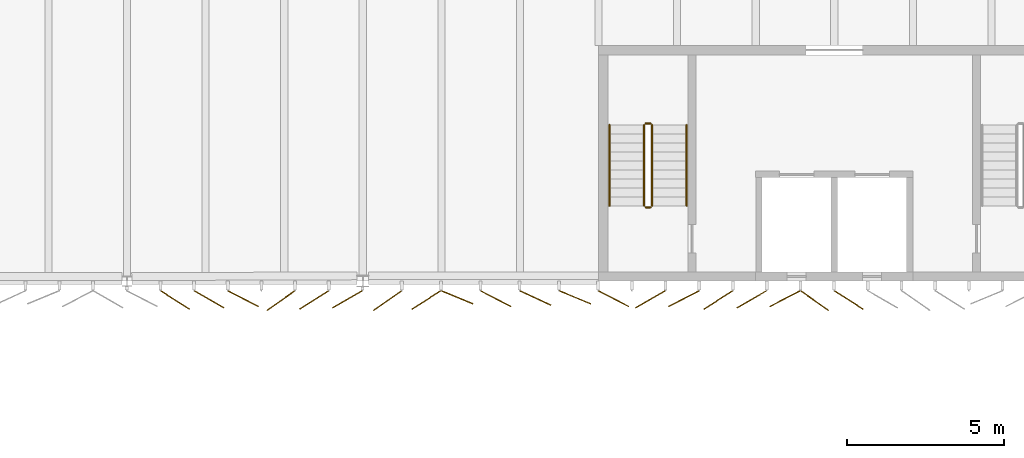
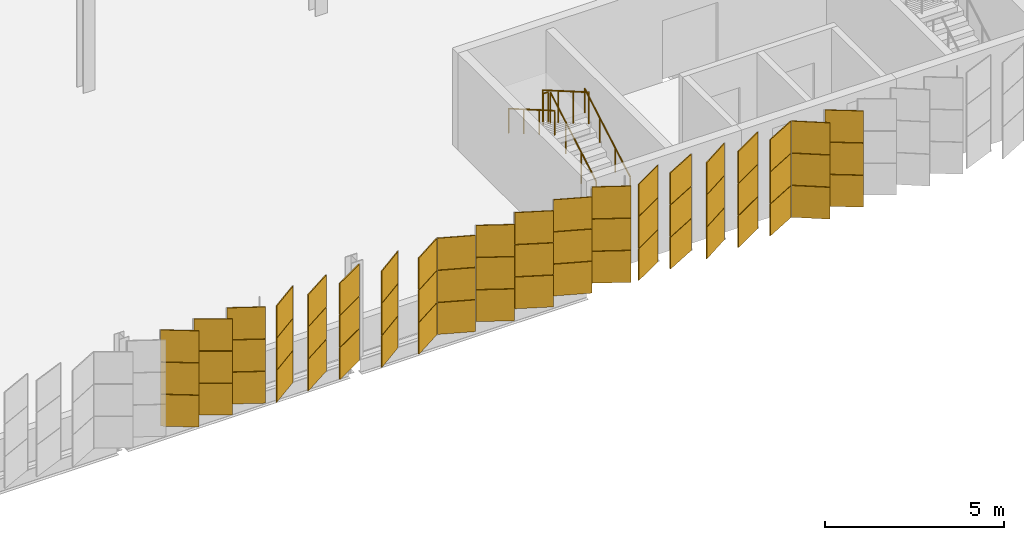
# One storey, part 184 of 199: 60 coverings, 6 railings.
"""IFC4 building model written with IfcOpenShell, lengths in metres."""

from ifc_helpers import new_model, si_unit, direction, frame, origin, origin_2d, place, context, subcontext, project, spatial, rectangle, circle, extrude, material, layer, layer_set, type_object, element, save


model = new_model("IFC4")

# Units and contexts
model_context = context("Model", 3, precision=1e-05, world=origin(), true_north=direction((0.0, 1.0)))
body_context = subcontext(model_context, "Body", "Model", "MODEL_VIEW")
ifc_project = project(units=[si_unit("LENGTHUNIT", "METRE"), si_unit("AREAUNIT", "SQUARE_METRE"), si_unit("VOLUMEUNIT", "CUBIC_METRE"), si_unit("PLANEANGLEUNIT", "RADIAN"), si_unit("MASSUNIT", "GRAM", prefix="KILO")], contexts=[model_context])

# Site, building, storey
site_placement = place(None, origin())
site = spatial("IfcSite", under=ifc_project, at=site_placement, CompositionType="ELEMENT")
building_placement = place(site_placement, origin())
building = spatial("IfcBuilding", under=site, at=building_placement, Name="Parallax Yard Mobility Hub", CompositionType="ELEMENT")
storey_placement = place(building_placement, frame((0.0, 0.0, 9.89990234375)))
storey = spatial("IfcBuildingStorey", under=building, at=storey_placement, Name="L03", CompositionType="ELEMENT", Elevation=9.89990234375)

# Coverings
ifc_material_1 = material(Name="Aluminium panel, champagne finish", Category="aluminium")
ifc_layer_1 = layer(ifc_material_1, 0.030029296875)
ifc_layer_set_1 = layer_set([ifc_layer_1], Name="Skin panel 22.5 degree turn, champagne finish")
covering_type_1 = type_object("IfcCoveringType", Name="Skin panel 22.5 degree turn, champagne finish", PredefinedType="CLADDING", material=ifc_layer_set_1)
for number, where, z_axis, x_axis, name in (
    (1, (123.00390625, 111.987060546875, 0.02001953125), (0.0, 0.0, 1.0), (0.923879532511, -0.382683432365, 0.0), "Skin panel 22.5 bay 12.3 row 1 level L03"),
    (2, (126.751708984375, 111.987060546875, 0.02001953125), (0.0, 0.0, 1.0), (0.923879532511, -0.382683432365, 0.0), "Skin panel 22.5 bay 12.6 row 1 level L03"),
):
    element("IfcCovering", number, at=place(storey_placement, frame(where, z_axis=z_axis, x_axis=x_axis)), inside=storey, type_object=covering_type_1, Name=name, ObjectType="SCREEN", PredefinedType="CLADDING", context=body_context, shape_type="SweptSolid", body=[
        extrude(rectangle(XDim=1.080078125, YDim=0.030029296875, at=origin_2d()), origin(), (0.0, 0.0, 1.0), 1.080078125),
    ])
ifc_material_2 = material(Name="Aluminium panel, silver anodised", Category="aluminium")
ifc_layer_2 = layer(ifc_material_2, 0.030029296875)
ifc_layer_set_2 = layer_set([ifc_layer_2], Name="Skin panel 22.5 degree turn, silver anodised")
covering_type_2 = type_object("IfcCoveringType", Name="Skin panel 22.5 degree turn, silver anodised", PredefinedType="CLADDING", material=ifc_layer_set_2)
for number, where, z_axis, x_axis, name in (
    (3, (123.00390625, 111.987060546875, 1.1201171875), (0.0, 0.0, 1.0), (0.923879532511, -0.382683432365, 0.0), "Skin panel 22.5 bay 12.3 row 2 level L03"),
    (4, (123.00390625, 111.987060546875, 2.219970703125), (0.0, 0.0, 1.0), (0.923879532511, -0.382683432365, 0.0), "Skin panel 22.5 bay 12.3 row 3 level L03"),
    (5, (126.751708984375, 111.987060546875, 1.1201171875), (0.0, 0.0, 1.0), (0.923879532511, -0.382683432365, 0.0), "Skin panel 22.5 bay 12.6 row 2 level L03"),
    (6, (126.751708984375, 111.987060546875, 2.219970703125), (0.0, 0.0, 1.0), (0.923879532511, -0.382683432365, 0.0), "Skin panel 22.5 bay 12.6 row 3 level L03"),
):
    element("IfcCovering", number, at=place(storey_placement, frame(where, z_axis=z_axis, x_axis=x_axis)), inside=storey, type_object=covering_type_2, Name=name, ObjectType="SCREEN", PredefinedType="CLADDING", context=body_context, shape_type="SweptSolid", body=[
        extrude(rectangle(XDim=1.080078125, YDim=0.030029296875, at=origin_2d()), origin(), (0.0, 0.0, 1.0), 1.080078125),
    ])
ifc_layer_3 = layer(ifc_material_1, 0.030029296875)
ifc_layer_set_3 = layer_set([ifc_layer_3], Name="Skin panel 25 degree turn, champagne finish")
covering_type_3 = type_object("IfcCoveringType", Name="Skin panel 25 degree turn, champagne finish", PredefinedType="CLADDING", material=ifc_layer_set_3)
covering_placement = place(storey_placement, frame((125.49267578125, 111.96484375, 0.02001953125), z_axis=(0.0, 0.0, 1.0), x_axis=(0.906307787037, -0.422618261741, 0.0)))
element("IfcCovering", 7, at=covering_placement, inside=storey, type_object=covering_type_3, Name="Skin panel 25 bay 12.5 row 1 level L03", ObjectType="SCREEN", PredefinedType="CLADDING", context=body_context, shape_type="SweptSolid", body=[
    extrude(rectangle(XDim=1.080078125, YDim=0.030029296875, at=origin_2d()), origin(), (0.0, 0.0, 1.0), 1.080078125),
])
ifc_layer_4 = layer(ifc_material_2, 0.030029296875)
ifc_layer_set_4 = layer_set([ifc_layer_4], Name="Skin panel 25 degree turn, silver anodised")
covering_type_4 = type_object("IfcCoveringType", Name="Skin panel 25 degree turn, silver anodised", PredefinedType="CLADDING", material=ifc_layer_set_4)
for number, where, z_axis, x_axis, name in (
    (8, (125.49267578125, 111.96484375, 1.1201171875), (0.0, 0.0, 1.0), (0.906307787037, -0.422618261741, 0.0), "Skin panel 25 bay 12.5 row 2 level L03"),
    (9, (125.49267578125, 111.96484375, 2.219970703125), (0.0, 0.0, 1.0), (0.906307787037, -0.422618261741, 0.0), "Skin panel 25 bay 12.5 row 3 level L03"),
):
    element("IfcCovering", number, at=place(storey_placement, frame(where, z_axis=z_axis, x_axis=x_axis)), inside=storey, type_object=covering_type_4, Name=name, ObjectType="SCREEN", PredefinedType="CLADDING", context=body_context, shape_type="SweptSolid", body=[
        extrude(rectangle(XDim=1.080078125, YDim=0.030029296875, at=origin_2d()), origin(), (0.0, 0.0, 1.0), 1.080078125),
    ])
ifc_layer_5 = layer(ifc_material_1, 0.030029296875)
ifc_layer_set_5 = layer_set([ifc_layer_5], Name="Skin panel 27.5 degree turn, champagne finish")
covering_type_5 = type_object("IfcCoveringType", Name="Skin panel 27.5 degree turn, champagne finish", PredefinedType="CLADDING", material=ifc_layer_set_5)
for number, where, z_axis, x_axis, name in (
    (10, (116.198974609375, 111.943115234375, 0.02001953125), (0.0, 0.0, 1.0), (0.887010833178, -0.461748613235, 0.0), "Skin panel 27.5 bay 11.4 row 1 level L03"),
    (11, (124.232666015625, 111.943115234375, 0.02001953125), (0.0, 0.0, 1.0), (0.887010833178, -0.461748613235, 0.0), "Skin panel 27.5 bay 12.4 row 1 level L03"),
    (12, (127.98046875, 111.943115234375, 0.02001953125), (0.0, 0.0, 1.0), (0.887010833178, -0.461748613235, 0.0), "Skin panel 27.5 bay 13.1 row 1 level L03"),
    (13, (130.210205078125, 111.943115234375, 0.02001953125), (0.0, 0.0, 1.0), (-0.887010833178, -0.461748613235, 0.0), "Skin panel 27.5 bay 13.3 row 1 level L03"),
    (14, (133.4267578125, 111.943115234375, 0.02001953125), (0.0, 0.0, 1.0), (-0.887010833178, -0.461748613235, 0.0), "Skin panel 27.5 bay 13.6 row 1 level L03"),
):
    element("IfcCovering", number, at=place(storey_placement, frame(where, z_axis=z_axis, x_axis=x_axis)), inside=storey, type_object=covering_type_5, Name=name, ObjectType="SCREEN", PredefinedType="CLADDING", context=body_context, shape_type="SweptSolid", body=[
        extrude(rectangle(XDim=1.080078125, YDim=0.030029296875, at=origin_2d()), origin(), (0.0, 0.0, 1.0), 1.080078125),
    ])
ifc_layer_6 = layer(ifc_material_2, 0.030029296875)
ifc_layer_set_6 = layer_set([ifc_layer_6], Name="Skin panel 27.5 degree turn, silver anodised")
covering_type_6 = type_object("IfcCoveringType", Name="Skin panel 27.5 degree turn, silver anodised", PredefinedType="CLADDING", material=ifc_layer_set_6)
for number, where, z_axis, x_axis, name in (
    (15, (116.198974609375, 111.943115234375, 1.1201171875), (0.0, 0.0, 1.0), (0.887010833178, -0.461748613235, 0.0), "Skin panel 27.5 bay 11.4 row 2 level L03"),
    (16, (116.198974609375, 111.943115234375, 2.219970703125), (0.0, 0.0, 1.0), (0.887010833178, -0.461748613235, 0.0), "Skin panel 27.5 bay 11.4 row 3 level L03"),
    (17, (124.232666015625, 111.943115234375, 1.1201171875), (0.0, 0.0, 1.0), (0.887010833178, -0.461748613235, 0.0), "Skin panel 27.5 bay 12.4 row 2 level L03"),
    (18, (124.232666015625, 111.943115234375, 2.219970703125), (0.0, 0.0, 1.0), (0.887010833178, -0.461748613235, 0.0), "Skin panel 27.5 bay 12.4 row 3 level L03"),
    (19, (127.98046875, 111.943115234375, 1.1201171875), (0.0, 0.0, 1.0), (0.887010833178, -0.461748613235, 0.0), "Skin panel 27.5 bay 13.1 row 2 level L03"),
    (20, (127.98046875, 111.943115234375, 2.219970703125), (0.0, 0.0, 1.0), (0.887010833178, -0.461748613235, 0.0), "Skin panel 27.5 bay 13.1 row 3 level L03"),
    (21, (130.210205078125, 111.943115234375, 1.1201171875), (0.0, 0.0, 1.0), (-0.887010833178, -0.461748613235, 0.0), "Skin panel 27.5 bay 13.3 row 2 level L03"),
    (22, (130.210205078125, 111.943115234375, 2.219970703125), (0.0, 0.0, 1.0), (-0.887010833178, -0.461748613235, 0.0), "Skin panel 27.5 bay 13.3 row 3 level L03"),
    (23, (133.4267578125, 111.943115234375, 1.1201171875), (0.0, 0.0, 1.0), (-0.887010833178, -0.461748613235, 0.0), "Skin panel 27.5 bay 13.6 row 2 level L03"),
    (24, (133.4267578125, 111.943115234375, 2.219970703125), (0.0, 0.0, 1.0), (-0.887010833178, -0.461748613235, 0.0), "Skin panel 27.5 bay 13.6 row 3 level L03"),
):
    element("IfcCovering", number, at=place(storey_placement, frame(where, z_axis=z_axis, x_axis=x_axis)), inside=storey, type_object=covering_type_6, Name=name, ObjectType="SCREEN", PredefinedType="CLADDING", context=body_context, shape_type="SweptSolid", body=[
        extrude(rectangle(XDim=1.080078125, YDim=0.030029296875, at=origin_2d()), origin(), (0.0, 0.0, 1.0), 1.080078125),
    ])
ifc_layer_7 = layer(ifc_material_1, 0.030029296875)
ifc_layer_set_7 = layer_set([ifc_layer_7], Name="Skin panel 30 degree turn, champagne finish")
covering_type_7 = type_object("IfcCoveringType", Name="Skin panel 30 degree turn, champagne finish", PredefinedType="CLADDING", material=ifc_layer_set_7)
for number, where, z_axis, x_axis, name in (
    (25, (115.11572265625, 111.921875, 0.02001953125), (0.0, 0.0, 1.0), (0.866025403784, -0.5, 0.0), "Skin panel 30 bay 11.3 row 1 level L03"),
    (26, (119.509765625, 111.921875, 0.02001953125), (0.0, 0.0, 1.0), (-0.866025403784, -0.5, 0.0), "Skin panel 30 bay 11.7 row 1 level L03"),
    (27, (129.149658203125, 111.921875, 0.02001953125), (0.0, 0.0, 1.0), (-0.866025403784, -0.5, 0.0), "Skin panel 30 bay 13.2 row 1 level L03"),
    (28, (132.3662109375, 111.921875, 0.02001953125), (0.0, 0.0, 1.0), (-0.866025403784, -0.5, 0.0), "Skin panel 30 bay 13.5 row 1 level L03"),
):
    element("IfcCovering", number, at=place(storey_placement, frame(where, z_axis=z_axis, x_axis=x_axis)), inside=storey, type_object=covering_type_7, Name=name, ObjectType="SCREEN", PredefinedType="CLADDING", context=body_context, shape_type="SweptSolid", body=[
        extrude(rectangle(XDim=1.080078125, YDim=0.030029296875, at=origin_2d()), origin(), (0.0, 0.0, 1.0), 1.080078125),
    ])
ifc_layer_8 = layer(ifc_material_2, 0.030029296875)
ifc_layer_set_8 = layer_set([ifc_layer_8], Name="Skin panel 30 degree turn, silver anodised")
covering_type_8 = type_object("IfcCoveringType", Name="Skin panel 30 degree turn, silver anodised", PredefinedType="CLADDING", material=ifc_layer_set_8)
for number, where, z_axis, x_axis, name in (
    (29, (115.11572265625, 111.921875, 1.1201171875), (0.0, 0.0, 1.0), (0.866025403784, -0.5, 0.0), "Skin panel 30 bay 11.3 row 2 level L03"),
    (30, (115.11572265625, 111.921875, 2.219970703125), (0.0, 0.0, 1.0), (0.866025403784, -0.5, 0.0), "Skin panel 30 bay 11.3 row 3 level L03"),
    (31, (119.509765625, 111.921875, 1.1201171875), (0.0, 0.0, 1.0), (-0.866025403784, -0.5, 0.0), "Skin panel 30 bay 11.7 row 2 level L03"),
    (32, (119.509765625, 111.921875, 2.219970703125), (0.0, 0.0, 1.0), (-0.866025403784, -0.5, 0.0), "Skin panel 30 bay 11.7 row 3 level L03"),
    (33, (129.149658203125, 111.921875, 1.1201171875), (0.0, 0.0, 1.0), (-0.866025403784, -0.5, 0.0), "Skin panel 30 bay 13.2 row 2 level L03"),
    (34, (129.149658203125, 111.921875, 2.219970703125), (0.0, 0.0, 1.0), (-0.866025403784, -0.5, 0.0), "Skin panel 30 bay 13.2 row 3 level L03"),
    (35, (132.3662109375, 111.921875, 1.1201171875), (0.0, 0.0, 1.0), (-0.866025403784, -0.5, 0.0), "Skin panel 30 bay 13.5 row 2 level L03"),
    (36, (132.3662109375, 111.921875, 2.219970703125), (0.0, 0.0, 1.0), (-0.866025403784, -0.5, 0.0), "Skin panel 30 bay 13.5 row 3 level L03"),
):
    element("IfcCovering", number, at=place(storey_placement, frame(where, z_axis=z_axis, x_axis=x_axis)), inside=storey, type_object=covering_type_8, Name=name, ObjectType="SCREEN", PredefinedType="CLADDING", context=body_context, shape_type="SweptSolid", body=[
        extrude(rectangle(XDim=1.080078125, YDim=0.030029296875, at=origin_2d()), origin(), (0.0, 0.0, 1.0), 1.080078125),
    ])
ifc_layer_9 = layer(ifc_material_1, 0.030029296875)
ifc_layer_set_9 = layer_set([ifc_layer_9], Name="Skin panel 32.5 degree turn, champagne finish")
covering_type_9 = type_object("IfcCoveringType", Name="Skin panel 32.5 degree turn, champagne finish", PredefinedType="CLADDING", material=ifc_layer_set_9)
for number, where, z_axis, x_axis, name in (
    (37, (114.03173828125, 111.901123046875, 0.02001953125), (0.0, 0.0, 1.0), (0.843391445813, -0.537299608347, 0.0), "Skin panel 32.5 bay 11.2 row 1 level L03"),
    (38, (118.45068359375, 111.901123046875, 0.02001953125), (0.0, 0.0, 1.0), (-0.843391445813, -0.537299608347, 0.0), "Skin panel 32.5 bay 11.6 row 1 level L03"),
    (39, (122.020751953125, 111.901123046875, 0.02001953125), (0.0, 0.0, 1.0), (-0.843391445813, -0.537299608347, 0.0), "Skin panel 32.5 bay 12.2 row 1 level L03"),
    (40, (131.306640625, 111.901123046875, 0.02001953125), (0.0, 0.0, 1.0), (-0.843391445813, -0.537299608347, 0.0), "Skin panel 32.5 bay 13.4 row 1 level L03"),
    (41, (135.461669921875, 111.901123046875, 0.02001953125), (0.0, 0.0, 1.0), (0.843391445813, -0.537299608347, 0.0), "Skin panel 32.5 bay 13.8 row 1 level L03"),
):
    element("IfcCovering", number, at=place(storey_placement, frame(where, z_axis=z_axis, x_axis=x_axis)), inside=storey, type_object=covering_type_9, Name=name, ObjectType="SCREEN", PredefinedType="CLADDING", context=body_context, shape_type="SweptSolid", body=[
        extrude(rectangle(XDim=1.080078125, YDim=0.030029296875, at=origin_2d()), origin(), (0.0, 0.0, 1.0), 1.080078125),
    ])
ifc_layer_10 = layer(ifc_material_2, 0.030029296875)
ifc_layer_set_10 = layer_set([ifc_layer_10], Name="Skin panel 32.5 degree turn, silver anodised")
covering_type_10 = type_object("IfcCoveringType", Name="Skin panel 32.5 degree turn, silver anodised", PredefinedType="CLADDING", material=ifc_layer_set_10)
for number, where, z_axis, x_axis, name in (
    (42, (114.03173828125, 111.901123046875, 1.1201171875), (0.0, 0.0, 1.0), (0.843391445813, -0.537299608347, 0.0), "Skin panel 32.5 bay 11.2 row 2 level L03"),
    (43, (114.03173828125, 111.901123046875, 2.219970703125), (0.0, 0.0, 1.0), (0.843391445813, -0.537299608347, 0.0), "Skin panel 32.5 bay 11.2 row 3 level L03"),
    (44, (118.45068359375, 111.901123046875, 1.1201171875), (0.0, 0.0, 1.0), (-0.843391445813, -0.537299608347, 0.0), "Skin panel 32.5 bay 11.6 row 2 level L03"),
    (45, (118.45068359375, 111.901123046875, 2.219970703125), (0.0, 0.0, 1.0), (-0.843391445813, -0.537299608347, 0.0), "Skin panel 32.5 bay 11.6 row 3 level L03"),
    (46, (122.020751953125, 111.901123046875, 1.1201171875), (0.0, 0.0, 1.0), (-0.843391445813, -0.537299608347, 0.0), "Skin panel 32.5 bay 12.2 row 2 level L03"),
    (47, (122.020751953125, 111.901123046875, 2.219970703125), (0.0, 0.0, 1.0), (-0.843391445813, -0.537299608347, 0.0), "Skin panel 32.5 bay 12.2 row 3 level L03"),
    (48, (131.306640625, 111.901123046875, 1.1201171875), (0.0, 0.0, 1.0), (-0.843391445813, -0.537299608347, 0.0), "Skin panel 32.5 bay 13.4 row 2 level L03"),
    (49, (131.306640625, 111.901123046875, 2.219970703125), (0.0, 0.0, 1.0), (-0.843391445813, -0.537299608347, 0.0), "Skin panel 32.5 bay 13.4 row 3 level L03"),
    (50, (135.461669921875, 111.901123046875, 1.1201171875), (0.0, 0.0, 1.0), (0.843391445813, -0.537299608347, 0.0), "Skin panel 32.5 bay 13.8 row 2 level L03"),
    (51, (135.461669921875, 111.901123046875, 2.219970703125), (0.0, 0.0, 1.0), (0.843391445813, -0.537299608347, 0.0), "Skin panel 32.5 bay 13.8 row 3 level L03"),
):
    element("IfcCovering", number, at=place(storey_placement, frame(where, z_axis=z_axis, x_axis=x_axis)), inside=storey, type_object=covering_type_10, Name=name, ObjectType="SCREEN", PredefinedType="CLADDING", context=body_context, shape_type="SweptSolid", body=[
        extrude(rectangle(XDim=1.080078125, YDim=0.030029296875, at=origin_2d()), origin(), (0.0, 0.0, 1.0), 1.080078125),
    ])
ifc_layer_11 = layer(ifc_material_1, 0.030029296875)
ifc_layer_set_11 = layer_set([ifc_layer_11], Name="Skin panel 35 degree turn, champagne finish")
covering_type_11 = type_object("IfcCoveringType", Name="Skin panel 35 degree turn, champagne finish", PredefinedType="CLADDING", material=ifc_layer_set_11)
for number, where, z_axis, x_axis, name in (
    (52, (117.392578125, 111.880859375, 0.02001953125), (0.0, 0.0, 1.0), (-0.819152044289, -0.573576436351, 0.0), "Skin panel 35 bay 11.5 row 1 level L03"),
    (53, (120.784912109375, 111.880859375, 0.02001953125), (0.0, 0.0, 1.0), (-0.819152044289, -0.573576436351, 0.0), "Skin panel 35 bay 12.1 row 1 level L03"),
    (54, (134.3759765625, 111.880859375, 0.02001953125), (0.0, 0.0, 1.0), (0.819152044289, -0.573576436351, 0.0), "Skin panel 35 bay 13.7 row 1 level L03"),
):
    element("IfcCovering", number, at=place(storey_placement, frame(where, z_axis=z_axis, x_axis=x_axis)), inside=storey, type_object=covering_type_11, Name=name, ObjectType="SCREEN", PredefinedType="CLADDING", context=body_context, shape_type="SweptSolid", body=[
        extrude(rectangle(XDim=1.080078125, YDim=0.030029296875, at=origin_2d()), origin(), (0.0, 0.0, 1.0), 1.080078125),
    ])
ifc_layer_12 = layer(ifc_material_2, 0.030029296875)
ifc_layer_set_12 = layer_set([ifc_layer_12], Name="Skin panel 35 degree turn, silver anodised")
covering_type_12 = type_object("IfcCoveringType", Name="Skin panel 35 degree turn, silver anodised", PredefinedType="CLADDING", material=ifc_layer_set_12)
for number, where, z_axis, x_axis, name in (
    (55, (117.392578125, 111.880859375, 1.1201171875), (0.0, 0.0, 1.0), (-0.819152044289, -0.573576436351, 0.0), "Skin panel 35 bay 11.5 row 2 level L03"),
    (56, (117.392578125, 111.880859375, 2.219970703125), (0.0, 0.0, 1.0), (-0.819152044289, -0.573576436351, 0.0), "Skin panel 35 bay 11.5 row 3 level L03"),
    (57, (120.784912109375, 111.880859375, 1.1201171875), (0.0, 0.0, 1.0), (-0.819152044289, -0.573576436351, 0.0), "Skin panel 35 bay 12.1 row 2 level L03"),
    (58, (120.784912109375, 111.880859375, 2.219970703125), (0.0, 0.0, 1.0), (-0.819152044289, -0.573576436351, 0.0), "Skin panel 35 bay 12.1 row 3 level L03"),
    (59, (134.3759765625, 111.880859375, 1.1201171875), (0.0, 0.0, 1.0), (0.819152044289, -0.573576436351, 0.0), "Skin panel 35 bay 13.7 row 2 level L03"),
    (60, (134.3759765625, 111.880859375, 2.219970703125), (0.0, 0.0, 1.0), (0.819152044289, -0.573576436351, 0.0), "Skin panel 35 bay 13.7 row 3 level L03"),
):
    element("IfcCovering", number, at=place(storey_placement, frame(where, z_axis=z_axis, x_axis=x_axis)), inside=storey, type_object=covering_type_12, Name=name, ObjectType="SCREEN", PredefinedType="CLADDING", context=body_context, shape_type="SweptSolid", body=[
        extrude(rectangle(XDim=1.080078125, YDim=0.030029296875, at=origin_2d()), origin(), (0.0, 0.0, 1.0), 1.080078125),
    ])

# Railings
ifc_material_3 = material(Name="Steel ASTM A36", Category="steel")
railing_type_1 = type_object("IfcRailingType", Name="Stair guard 1100", PredefinedType="GUARDRAIL", material=ifc_material_3)
railing_1_placement = place(storey_placement, frame((129.199951171875, 114.89990234375, 0.1650390625)))
element("IfcRailing", 61, at=railing_1_placement, inside=storey, type_object=railing_type_1, Name="L03 ST6 stair guard 1", PredefinedType="GUARDRAIL", context=body_context, shape_type="SweptSolid", body=[
    extrude(circle(Radius=0.02392578125, at=origin_2d()), frame((0.0, 0.0, 1.076171875), z_axis=(0.0, 0.865426285481, 0.501036270542), x_axis=(-1.0, 0.0, 0.0)), (0.0, 0.0, 1.0), 2.964111328125),
    extrude(circle(Radius=0.02099609375, at=origin_2d()), origin(), (0.0, 0.0, 1.0), 1.052001953125),
    extrude(circle(Radius=0.02099609375, at=origin_2d()), frame((0.0, 0.85498046875, 0.4951171875)), (0.0, 0.0, 1.0), 1.052001953125),
    extrude(circle(Radius=0.02099609375, at=origin_2d()), frame((0.0, 1.710205078125, 0.989990234375)), (0.0, 0.0, 1.0), 1.052001953125),
    extrude(circle(Radius=0.02099609375, at=origin_2d()), frame((0.0, 2.565185546875, 1.485107421875)), (0.0, 0.0, 1.0), 1.052001953125),
])
railing_2_placement = place(storey_placement, frame((129.14990234375, 117.514892578125, 1.650146484375)))
element("IfcRailing", 62, at=railing_2_placement, inside=storey, type_object=railing_type_1, Name="L03 ST6 stair guard 2", PredefinedType="GUARDRAIL", context=body_context, shape_type="SweptSolid", body=[
    extrude(circle(Radius=0.02392578125, at=origin_2d()), frame((0.0, 0.0, 1.076171875), z_axis=(-1.0, 0.0, 0.0), x_axis=(0.0, -1.0, 0.0)), (0.0, 0.0, 1.0), 0.14990234375),
    extrude(circle(Radius=0.02099609375, at=origin_2d()), origin(), (0.0, 0.0, 1.0), 1.052001953125),
    extrude(circle(Radius=0.02099609375, at=origin_2d()), frame((-0.14990234375, 0.0, 0.0)), (0.0, 0.0, 1.0), 1.052001953125),
])
railing_3_placement = place(storey_placement, frame((128.949951171875, 117.465087890625, 1.815185546875)))
element("IfcRailing", 63, at=railing_3_placement, inside=storey, type_object=railing_type_1, Name="L03 ST6 stair guard 3", PredefinedType="GUARDRAIL", context=body_context, shape_type="SweptSolid", body=[
    extrude(circle(Radius=0.02392578125, at=origin_2d()), frame((0.0, 0.0, 1.076171875), z_axis=(0.0, -0.865461999751, 0.500974577186), x_axis=(1.0, 0.0, 0.0)), (0.0, 0.0, 1.0), 2.9638671875),
    extrude(circle(Radius=0.02099609375, at=origin_2d()), origin(), (0.0, 0.0, 1.0), 1.052001953125),
    extrude(circle(Radius=0.02099609375, at=origin_2d()), frame((0.0, -0.85498046875, 0.494873046875)), (0.0, 0.0, 1.0), 1.052001953125),
    extrude(circle(Radius=0.02099609375, at=origin_2d()), frame((0.0, -1.710205078125, 0.989990234375)), (0.0, 0.0, 1.0), 1.052001953125),
    extrude(circle(Radius=0.02099609375, at=origin_2d()), frame((0.0, -2.565185546875, 1.48486328125)), (0.0, 0.0, 1.0), 1.052001953125),
])
railing_4_placement = place(storey_placement, frame((129.14990234375, 114.85009765625, 0.0)))
element("IfcRailing", 64, at=railing_4_placement, inside=storey, type_object=railing_type_1, Name="L03 ST6 stair guard 4", PredefinedType="GUARDRAIL", context=body_context, shape_type="SweptSolid", body=[
    extrude(circle(Radius=0.02392578125, at=origin_2d()), frame((0.0, 0.0, 1.076171875), z_axis=(-1.0, 0.0, 0.0), x_axis=(0.0, -1.0, 0.0)), (0.0, 0.0, 1.0), 0.14990234375),
    extrude(circle(Radius=0.02099609375, at=origin_2d()), origin(), (0.0, 0.0, 1.0), 1.052001953125),
    extrude(circle(Radius=0.02099609375, at=origin_2d()), frame((-0.14990234375, 0.0, 0.0)), (0.0, 0.0, 1.0), 1.052001953125),
])
railing_type_2 = type_object("IfcRailingType", Name="Stair handrail", PredefinedType="HANDRAIL", material=ifc_material_3)
railing_5_placement = place(storey_placement, frame((130.300048828125, 114.89990234375, 0.1650390625)))
element("IfcRailing", 65, at=railing_5_placement, inside=storey, type_object=railing_type_2, Name="L03 ST6 stair handrail 1", PredefinedType="HANDRAIL", context=body_context, shape_type="SweptSolid", body=[
    extrude(circle(Radius=0.02392578125, at=origin_2d()), frame((0.0, 0.0, 0.8310546875), z_axis=(0.0, 0.865426285481, 0.501036270542), x_axis=(-1.0, 0.0, 0.0)), (0.0, 0.0, 1.0), 2.964111328125),
    extrude(circle(Radius=0.02099609375, at=origin_2d()), origin(), (0.0, 0.0, 1.0), 0.806884765625),
    extrude(circle(Radius=0.02099609375, at=origin_2d()), frame((0.0, 0.85498046875, 0.4951171875)), (0.0, 0.0, 1.0), 0.806884765625),
    extrude(circle(Radius=0.02099609375, at=origin_2d()), frame((0.0, 1.710205078125, 0.989990234375)), (0.0, 0.0, 1.0), 0.806884765625),
    extrude(circle(Radius=0.02099609375, at=origin_2d()), frame((0.0, 2.565185546875, 1.485107421875)), (0.0, 0.0, 1.0), 0.806884765625),
])
railing_6_placement = place(storey_placement, frame((127.85009765625, 117.465087890625, 1.815185546875)))
element("IfcRailing", 66, at=railing_6_placement, inside=storey, type_object=railing_type_2, Name="L03 ST6 stair handrail 2", PredefinedType="HANDRAIL", context=body_context, shape_type="SweptSolid", body=[
    extrude(circle(Radius=0.02392578125, at=origin_2d()), frame((0.0, 0.0, 0.8310546875), z_axis=(0.0, -0.865461999751, 0.500974577186), x_axis=(1.0, 0.0, 0.0)), (0.0, 0.0, 1.0), 2.9638671875),
    extrude(circle(Radius=0.02099609375, at=origin_2d()), origin(), (0.0, 0.0, 1.0), 0.806884765625),
    extrude(circle(Radius=0.02099609375, at=origin_2d()), frame((0.0, -0.85498046875, 0.494873046875)), (0.0, 0.0, 1.0), 0.806884765625),
    extrude(circle(Radius=0.02099609375, at=origin_2d()), frame((0.0, -1.710205078125, 0.989990234375)), (0.0, 0.0, 1.0), 0.806884765625),
    extrude(circle(Radius=0.02099609375, at=origin_2d()), frame((0.0, -2.565185546875, 1.48486328125)), (0.0, 0.0, 1.0), 0.806884765625),
])

save(model, "model.ifc")
